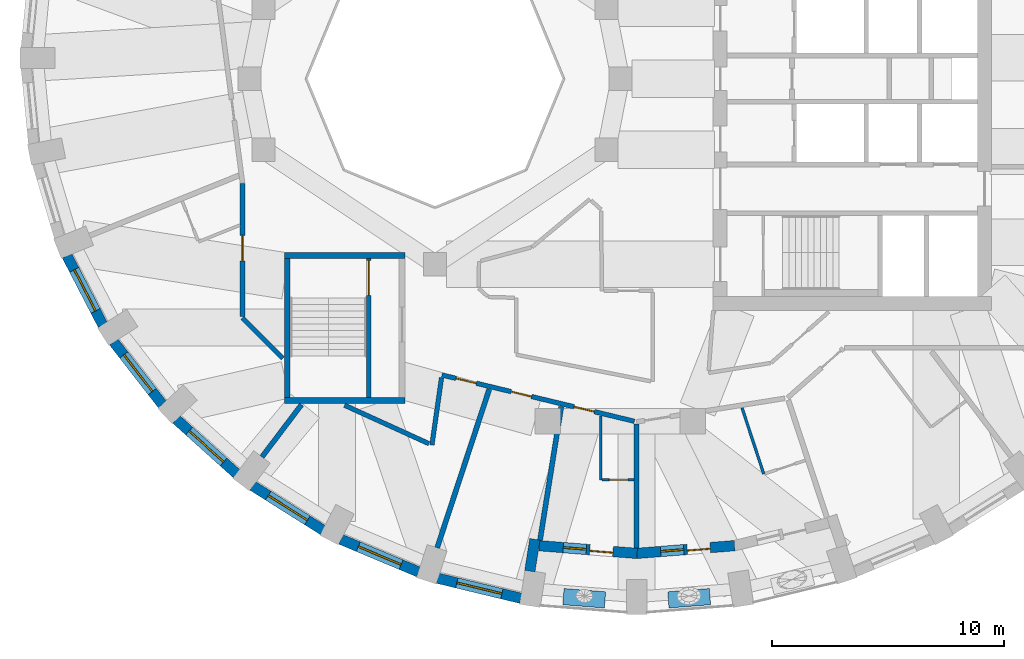
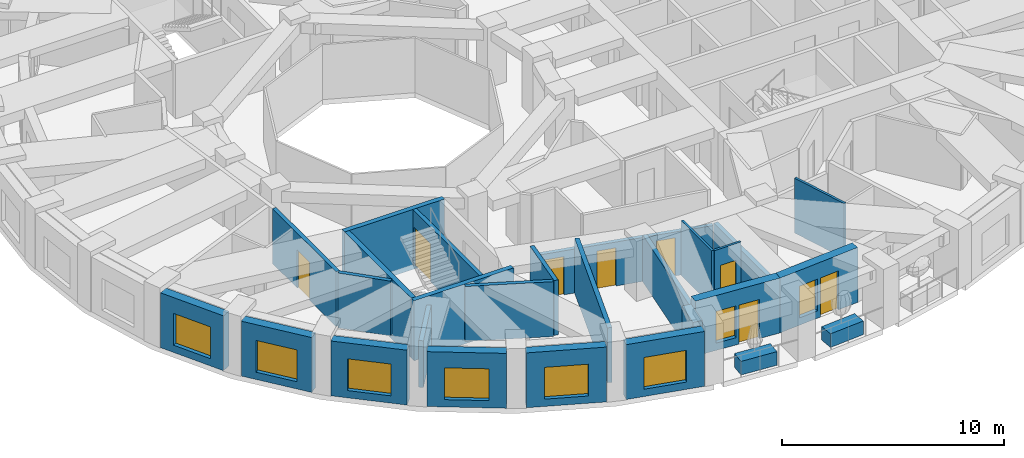
# One storey, part 3 of 12: 27 walls, 8 doors, 8 windows, 16 openings.
"""IFC4 building model written with IfcOpenShell, lengths in metres."""

from ifc_helpers import new_model, si_unit, direction, frame, frame_2d, origin, place, context, subcontext, project, spatial, rectangle, extrude, material, layer, layer_set, constituent, constituent_set, type_object, element, fill, save


model = new_model("IFC4")

# Units and contexts
model_context = context("Model", 3, precision=1e-05, world=origin(), true_north=direction((0.0, 1.0)))
body_context = subcontext(model_context, "Body", "Model", "MODEL_VIEW")
ifc_project = project(units=[si_unit("LENGTHUNIT", "METRE"), si_unit("AREAUNIT", "SQUARE_METRE"), si_unit("VOLUMEUNIT", "CUBIC_METRE"), si_unit("PLANEANGLEUNIT", "RADIAN"), si_unit("MASSUNIT", "GRAM", prefix="KILO")], contexts=[model_context])

# Site, building, storey
site_placement = place(None, origin())
site = spatial("IfcSite", under=ifc_project, at=site_placement, CompositionType="ELEMENT")
building_placement = place(site_placement, origin())
building = spatial("IfcBuilding", under=site, at=building_placement, Name="Taillehof Tower", CompositionType="ELEMENT")
storey_placement = place(building_placement, frame((0.0, 0.0, 202.39990234375)))
storey = spatial("IfcBuildingStorey", under=building, at=storey_placement, Name="L57", CompositionType="ELEMENT", Elevation=202.39990234375)

# Wall, opening, window
ifc_material_1 = material(Name="Brick masonry", Category="masonry")
ifc_layer_1 = layer(ifc_material_1, 0.449951171875)
ifc_layer_set_1 = layer_set([ifc_layer_1], Name="Brick infill wall 450")
wall_type_1 = type_object("IfcWallType", Name="Brick infill wall 450", PredefinedType="SOLIDWALL", material=ifc_layer_set_1)
wall_1_placement = place(storey_placement, frame((-23.878173828125, -7.631591796875, 0.0), z_axis=(0.0, 0.0, 1.0), x_axis=(0.460232593174, -0.887798378113, 0.0)))
wall_1 = element("IfcWall", 1, at=wall_1_placement, inside=storey, type_object=wall_type_1, Name="Brick wall L57 bay 21", PredefinedType="SOLIDWALL", context=body_context, shape_type="SweptSolid", body=[
    extrude(rectangle(XDim=3.37060546875, YDim=0.449951171875, at=frame_2d((1.685302734375, 0.0))), origin(), (0.0, 0.0, 1.0), 3.02001953125),
])
opening_1_placement = place(wall_1_placement, frame((0.685302734375, 0.0, 0.39990234375)))
opening_1 = element("IfcOpeningElement", 2, at=opening_1_placement, cuts=wall_1, Name="Opening W2", PredefinedType="OPENING", context=body_context, shape_type="SweptSolid", body=[
    extrude(rectangle(XDim=2.0, YDim=1.75, at=frame_2d((1.0, 0.875))), frame((0.0, 0.23486328125, 0.0), z_axis=(0.0, -1.0, 0.0), x_axis=(1.0, 0.0, 0.0)), (0.0, 0.0, 1.0), 0.469970703125),
])
ifc_material_2 = material(Name="Aluminium window frame with clear double glazing", Category="aluminium")
window_type_1 = type_object("IfcWindowType", Name="Deep-set window 2000x1750", PartitioningType="SINGLE_PANEL", PredefinedType="WINDOW", material=ifc_material_2)
window_1_placement = place(opening_1_placement, origin())
window_1 = element("IfcWindow", 3, at=window_1_placement, inside=storey, type_object=window_type_1, Name="W2", OverallHeight=1.75, OverallWidth=2.0, PartitioningType="SINGLE_PANEL", PredefinedType="WINDOW", context=body_context, shape_type="SweptSolid", body=[
    extrude(rectangle(XDim=2.0, YDim=1.75, at=frame_2d((1.0, 0.875))), frame((0.0, 0.034912109375, 0.0), z_axis=(0.0, -1.0, 0.0), x_axis=(1.0, 0.0, 0.0)), (0.0, 0.0, 1.0), 0.06005859375),
])
fill(opening_1, window_1)

wall_2_placement = place(storey_placement, frame((-21.86279296875, -11.348388671875, 0.0), z_axis=(0.0, 0.0, 1.0), x_axis=(0.614255239631, -0.789107407509, 0.0)))
wall_2 = element("IfcWall", 4, at=wall_2_placement, inside=storey, type_object=wall_type_1, Name="Brick wall L57 bay 22", PredefinedType="SOLIDWALL", context=body_context, shape_type="SweptSolid", body=[
    extrude(rectangle(XDim=3.4375, YDim=0.449951171875, at=frame_2d((1.71875, 0.0))), origin(), (0.0, 0.0, 1.0), 3.02001953125),
])
opening_2_placement = place(wall_2_placement, frame((0.71875, 0.0, 0.39990234375)))
opening_2 = element("IfcOpeningElement", 5, at=opening_2_placement, cuts=wall_2, Name="Opening W2", PredefinedType="OPENING", context=body_context, shape_type="SweptSolid", body=[
    extrude(rectangle(XDim=2.0, YDim=1.75, at=frame_2d((1.0, 0.875))), frame((0.0, 0.23486328125, 0.0), z_axis=(0.0, -1.0, 0.0), x_axis=(1.0, 0.0, 0.0)), (0.0, 0.0, 1.0), 0.469970703125),
])
window_2_placement = place(opening_2_placement, origin())
window_2 = element("IfcWindow", 6, at=window_2_placement, inside=storey, type_object=window_type_1, Name="W2", OverallHeight=1.75, OverallWidth=2.0, PartitioningType="SINGLE_PANEL", PredefinedType="WINDOW", context=body_context, shape_type="SweptSolid", body=[
    extrude(rectangle(XDim=2.0, YDim=1.75, at=frame_2d((1.0, 0.875))), frame((0.0, 0.034912109375, 0.0), z_axis=(0.0, -1.0, 0.0), x_axis=(1.0, 0.0, 0.0)), (0.0, 0.0, 1.0), 0.06005859375),
])
fill(opening_2, window_2)

wall_3_placement = place(storey_placement, frame((-19.1650390625, -14.6904296875, 0.0), z_axis=(0.0, 0.0, 1.0), x_axis=(0.743442727602, -0.668799604348, 0.0)))
wall_3 = element("IfcWall", 7, at=wall_3_placement, inside=storey, type_object=wall_type_1, Name="Brick wall L57 bay 23", PredefinedType="SOLIDWALL", context=body_context, shape_type="SweptSolid", body=[
    extrude(rectangle(XDim=3.5126953125, YDim=0.449951171875, at=frame_2d((1.75634765625, 0.0))), origin(), (0.0, 0.0, 1.0), 3.02001953125),
])
opening_3_placement = place(wall_3_placement, frame((0.75634765625, 0.0, 0.39990234375)))
opening_3 = element("IfcOpeningElement", 8, at=opening_3_placement, cuts=wall_3, Name="Opening W2", PredefinedType="OPENING", context=body_context, shape_type="SweptSolid", body=[
    extrude(rectangle(XDim=2.0, YDim=1.75, at=frame_2d((1.0, 0.875))), frame((0.0, 0.23486328125, 0.0), z_axis=(0.0, -1.0, 0.0), x_axis=(1.0, 0.0, 0.0)), (0.0, 0.0, 1.0), 0.469970703125),
])
window_3_placement = place(opening_3_placement, origin())
window_3 = element("IfcWindow", 9, at=window_3_placement, inside=storey, type_object=window_type_1, Name="W2", OverallHeight=1.75, OverallWidth=2.0, PartitioningType="SINGLE_PANEL", PredefinedType="WINDOW", context=body_context, shape_type="SweptSolid", body=[
    extrude(rectangle(XDim=2.0, YDim=1.75, at=frame_2d((1.0, 0.875))), frame((0.0, 0.034912109375, 0.0), z_axis=(0.0, -1.0, 0.0), x_axis=(1.0, 0.0, 0.0)), (0.0, 0.0, 1.0), 0.06005859375),
])
fill(opening_3, window_3)

wall_4_placement = place(storey_placement, frame((-15.8671875, -17.55859375, 0.0), z_axis=(0.0, 0.0, 1.0), x_axis=(0.84616917791, -0.532914366813, 0.0)))
wall_4 = element("IfcWall", 10, at=wall_4_placement, inside=storey, type_object=wall_type_1, Name="Brick wall L57 bay 24", PredefinedType="SOLIDWALL", context=body_context, shape_type="SweptSolid", body=[
    extrude(rectangle(XDim=3.586669921875, YDim=0.449951171875, at=frame_2d((1.79345703125, 0.0))), origin(), (0.0, 0.0, 1.0), 3.02001953125),
])
opening_4_placement = place(wall_4_placement, frame((0.79345703125, 0.0, 0.39990234375)))
opening_4 = element("IfcOpeningElement", 11, at=opening_4_placement, cuts=wall_4, Name="Opening W2", PredefinedType="OPENING", context=body_context, shape_type="SweptSolid", body=[
    extrude(rectangle(XDim=2.0, YDim=1.75, at=frame_2d((1.0, 0.875))), frame((0.0, 0.23486328125, 0.0), z_axis=(0.0, -1.0, 0.0), x_axis=(1.0, 0.0, 0.0)), (0.0, 0.0, 1.0), 0.469970703125),
])
window_4_placement = place(opening_4_placement, origin())
window_4 = element("IfcWindow", 12, at=window_4_placement, inside=storey, type_object=window_type_1, Name="W2", OverallHeight=1.75, OverallWidth=2.0, PartitioningType="SINGLE_PANEL", PredefinedType="WINDOW", context=body_context, shape_type="SweptSolid", body=[
    extrude(rectangle(XDim=2.0, YDim=1.75, at=frame_2d((1.0, 0.875))), frame((0.0, 0.034912109375, 0.0), z_axis=(0.0, -1.0, 0.0), x_axis=(1.0, 0.0, 0.0)), (0.0, 0.0, 1.0), 0.06005859375),
])
fill(opening_4, window_4)

wall_5_placement = place(storey_placement, frame((-12.0693359375, -19.866943359375, 0.0), z_axis=(0.0, 0.0, 1.0), x_axis=(0.922168222612, -0.386789050006, 0.0)))
wall_5 = element("IfcWall", 13, at=wall_5_placement, inside=storey, type_object=wall_type_1, Name="Brick wall L57 bay 25", PredefinedType="SOLIDWALL", context=body_context, shape_type="SweptSolid", body=[
    extrude(rectangle(XDim=3.65087890625, YDim=0.449951171875, at=frame_2d((1.825439453125, 0.0))), origin(), (0.0, 0.0, 1.0), 3.02001953125),
])
opening_5_placement = place(wall_5_placement, frame((0.825439453125, 0.0, 0.39990234375)))
opening_5 = element("IfcOpeningElement", 14, at=opening_5_placement, cuts=wall_5, Name="Opening W2", PredefinedType="OPENING", context=body_context, shape_type="SweptSolid", body=[
    extrude(rectangle(XDim=2.0, YDim=1.75, at=frame_2d((1.0, 0.875))), frame((0.0, 0.23486328125, 0.0), z_axis=(0.0, -1.0, 0.0), x_axis=(1.0, 0.0, 0.0)), (0.0, 0.0, 1.0), 0.469970703125),
])
window_5_placement = place(opening_5_placement, origin())
window_5 = element("IfcWindow", 15, at=window_5_placement, inside=storey, type_object=window_type_1, Name="W2", OverallHeight=1.75, OverallWidth=2.0, PartitioningType="SINGLE_PANEL", PredefinedType="WINDOW", context=body_context, shape_type="SweptSolid", body=[
    extrude(rectangle(XDim=2.0, YDim=1.75, at=frame_2d((1.0, 0.875))), frame((0.0, 0.034912109375, 0.0), z_axis=(0.0, -1.0, 0.0), x_axis=(1.0, 0.0, 0.0)), (0.0, 0.0, 1.0), 0.06005859375),
])
fill(opening_5, window_5)

wall_6_placement = place(storey_placement, frame((-7.88525390625, -21.547119140625, 0.0), z_axis=(0.0, 0.0, 1.0), x_axis=(0.9721584944, -0.234324266275, 0.0)))
wall_6 = element("IfcWall", 16, at=wall_6_placement, inside=storey, type_object=wall_type_1, Name="Brick wall L57 bay 26", PredefinedType="SOLIDWALL", context=body_context, shape_type="SweptSolid", body=[
    extrude(rectangle(XDim=3.69775390625, YDim=0.449951171875, at=frame_2d((1.848876953125, 0.0))), origin(), (0.0, 0.0, 1.0), 3.02001953125),
])
opening_6_placement = place(wall_6_placement, frame((0.848876953125, 0.0, 0.39990234375)))
opening_6 = element("IfcOpeningElement", 17, at=opening_6_placement, cuts=wall_6, Name="Opening W2", PredefinedType="OPENING", context=body_context, shape_type="SweptSolid", body=[
    extrude(rectangle(XDim=2.0, YDim=1.75, at=frame_2d((1.0, 0.875))), frame((0.0, 0.23486328125, 0.0), z_axis=(0.0, -1.0, 0.0), x_axis=(1.0, 0.0, 0.0)), (0.0, 0.0, 1.0), 0.469970703125),
])
window_6_placement = place(opening_6_placement, origin())
window_6 = element("IfcWindow", 18, at=window_6_placement, inside=storey, type_object=window_type_1, Name="W2", OverallHeight=1.75, OverallWidth=2.0, PartitioningType="SINGLE_PANEL", PredefinedType="WINDOW", context=body_context, shape_type="SweptSolid", body=[
    extrude(rectangle(XDim=2.0, YDim=1.75, at=frame_2d((1.0, 0.875))), frame((0.0, 0.034912109375, 0.0), z_axis=(0.0, -1.0, 0.0), x_axis=(1.0, 0.0, 0.0)), (0.0, 0.0, 1.0), 0.06005859375),
])
fill(opening_6, window_6)

# Wall
wall_7_placement = place(storey_placement, frame((-3.90869140625, -21.238525390625, 0.0), z_axis=(0.0, 0.0, 1.0), x_axis=(0.157017718735, 0.987595785736, 0.0)))
element("IfcWall", 19, at=wall_7_placement, inside=storey, type_object=wall_type_1, Name="Brick reveal L57 pocket 8", PredefinedType="SOLIDWALL", context=body_context, shape_type="SweptSolid", body=[
    extrude(rectangle(XDim=1.39013671875, YDim=0.449951171875, at=frame_2d((0.695068359375, 0.0))), origin(), (0.0, 0.0, 1.0), 2.570068359375),
])

# Wall, openings, door, window
wall_8_placement = place(storey_placement, frame((-3.506591796875, -20.142333984375, 0.0), z_axis=(0.0, 0.0, 1.0), x_axis=(0.996902786213, -0.078643720926, 0.0)))
wall_8 = element("IfcWall", 20, at=wall_8_placement, inside=storey, type_object=wall_type_1, Name="Brick wall L57 pocket bay 27", PredefinedType="SOLIDWALL", context=body_context, shape_type="SweptSolid", body=[
    extrude(rectangle(XDim=4.237548828125, YDim=0.449951171875, at=frame_2d((2.11865234375, 0.0))), origin(), (0.0, 0.0, 1.0), 3.02001953125),
])
opening_7_placement = place(wall_8_placement, frame((1.043701171875, 0.0, 0.39990234375)))
opening_7 = element("IfcOpeningElement", 21, at=opening_7_placement, cuts=wall_8, Name="Opening W5", PredefinedType="OPENING", context=body_context, shape_type="SweptSolid", body=[
    extrude(rectangle(XDim=1.0, YDim=1.75, at=frame_2d((0.5, 0.875))), frame((0.0, 0.23486328125, 0.0), z_axis=(0.0, -1.0, 0.0), x_axis=(1.0, 0.0, 0.0)), (0.0, 0.0, 1.0), 0.469970703125),
])
opening_8_placement = place(wall_8_placement, frame((2.193603515625, 0.0, 0.0)))
opening_8 = element("IfcOpeningElement", 22, at=opening_8_placement, cuts=wall_8, Name="Opening D5794", PredefinedType="OPENING", context=body_context, shape_type="SweptSolid", body=[
    extrude(rectangle(XDim=1.0, YDim=2.14990234375, at=frame_2d((0.5, 1.074951171875))), frame((0.0, 0.23486328125, 0.0), z_axis=(0.0, -1.0, 0.0), x_axis=(1.0, 0.0, 0.0)), (0.0, 0.0, 1.0), 0.469970703125),
])
ifc_material_3 = material(Name="Aluminium door frame with clear double glazing", Category="aluminium")
door_type_1 = type_object("IfcDoorType", Name="Balcony door 1000x2150", OperationType="SINGLE_SWING_RIGHT", PredefinedType="DOOR", material=ifc_material_3)
door_1_placement = place(opening_8_placement, frame((1.0, 0.0, 0.0), z_axis=(0.0, 0.0, 1.0), x_axis=(-1.0, 0.0, 0.0)))
door_1 = element("IfcDoor", 23, at=door_1_placement, inside=storey, type_object=door_type_1, Name="Balcony door L57 bay 27", OperationType="SINGLE_SWING_RIGHT", OverallHeight=2.14990234375, OverallWidth=1.0, PredefinedType="DOOR", context=body_context, shape_type="SweptSolid", body=[
    extrude(rectangle(XDim=1.0, YDim=2.14990234375, at=frame_2d((0.5, 1.074951171875))), frame((0.0, 0.0751953125, 0.0), z_axis=(0.0, -1.0, 0.0), x_axis=(1.0, 0.0, 0.0)), (0.0, 0.0, 1.0), 0.050048828125),
])
fill(opening_8, door_1)
ifc_material_4 = material(Name="Aluminium window frame with clear double glazing", Category="aluminium")
window_type_2 = type_object("IfcWindowType", Name="Fixed window 1000x1750", PartitioningType="SINGLE_PANEL", PredefinedType="WINDOW", material=ifc_material_4)
window_7_placement = place(opening_7_placement, origin())
window_7 = element("IfcWindow", 24, at=window_7_placement, inside=storey, type_object=window_type_2, Name="W5", OverallHeight=1.75, OverallWidth=1.0, PartitioningType="SINGLE_PANEL", PredefinedType="WINDOW", context=body_context, shape_type="SweptSolid", body=[
    extrude(rectangle(XDim=1.0, YDim=1.75, at=frame_2d((0.5, 0.875))), frame((0.0, 0.034912109375, 0.0), z_axis=(0.0, -1.0, 0.0), x_axis=(1.0, 0.0, 0.0)), (0.0, 0.0, 1.0), 0.06005859375),
])
fill(opening_7, window_7)

wall_9_placement = place(storey_placement, frame((0.682373046875, -20.4755859375, 0.0), z_axis=(0.0, 0.0, 1.0), x_axis=(0.996901346333, 0.078661970983, 0.0)))
wall_9 = element("IfcWall", 25, at=wall_9_placement, inside=storey, type_object=wall_type_1, Name="Brick wall L57 pocket bay 28", PredefinedType="SOLIDWALL", context=body_context, shape_type="SweptSolid", body=[
    extrude(rectangle(XDim=4.255126953125, YDim=0.449951171875, at=frame_2d((2.12744140625, 0.0))), origin(), (0.0, 0.0, 1.0), 3.02001953125),
])
opening_9_placement = place(wall_9_placement, frame((1.052490234375, 0.0, 0.39990234375)))
opening_9 = element("IfcOpeningElement", 26, at=opening_9_placement, cuts=wall_9, Name="Opening W5", PredefinedType="OPENING", context=body_context, shape_type="SweptSolid", body=[
    extrude(rectangle(XDim=1.0, YDim=1.75, at=frame_2d((0.5, 0.875))), frame((0.0, 0.23486328125, 0.0), z_axis=(0.0, -1.0, 0.0), x_axis=(1.0, 0.0, 0.0)), (0.0, 0.0, 1.0), 0.469970703125),
])
opening_10_placement = place(wall_9_placement, frame((2.20263671875, 0.0, 0.0)))
opening_10 = element("IfcOpeningElement", 27, at=opening_10_placement, cuts=wall_9, Name="Opening D5795", PredefinedType="OPENING", context=body_context, shape_type="SweptSolid", body=[
    extrude(rectangle(XDim=1.0, YDim=2.14990234375, at=frame_2d((0.5, 1.074951171875))), frame((0.0, 0.23486328125, 0.0), z_axis=(0.0, -1.0, 0.0), x_axis=(1.0, 0.0, 0.0)), (0.0, 0.0, 1.0), 0.469970703125),
])
door_2_placement = place(opening_10_placement, frame((1.0, 0.0, 0.0), z_axis=(0.0, 0.0, 1.0), x_axis=(-1.0, 0.0, 0.0)))
door_2 = element("IfcDoor", 28, at=door_2_placement, inside=storey, type_object=door_type_1, Name="Balcony door L57 bay 28", OperationType="SINGLE_SWING_LEFT", OverallHeight=2.14990234375, OverallWidth=1.0, PredefinedType="DOOR", context=body_context, shape_type="SweptSolid", body=[
    extrude(rectangle(XDim=1.0, YDim=2.14990234375, at=frame_2d((0.5, 1.074951171875))), frame((0.0, 0.0751953125, 0.0), z_axis=(0.0, -1.0, 0.0), x_axis=(1.0, 0.0, 0.0)), (0.0, 0.0, 1.0), 0.050048828125),
])
fill(opening_10, door_2)
window_8_placement = place(opening_9_placement, origin())
window_8 = element("IfcWindow", 29, at=window_8_placement, inside=storey, type_object=window_type_2, Name="W5", OverallHeight=1.75, OverallWidth=1.0, PartitioningType="SINGLE_PANEL", PredefinedType="WINDOW", context=body_context, shape_type="SweptSolid", body=[
    extrude(rectangle(XDim=1.0, YDim=1.75, at=frame_2d((0.5, 0.875))), frame((0.0, 0.034912109375, 0.0), z_axis=(0.0, -1.0, 0.0), x_axis=(1.0, 0.0, 0.0)), (0.0, 0.0, 1.0), 0.06005859375),
])
fill(opening_9, window_8)

# Wall, openings, doors
ifc_material_5 = material(Name="Gypsum board on steel studs, two layers each side", Category="steel")
ifc_layer_2 = layer(ifc_material_5, 0.199951171875)
ifc_layer_set_2 = layer_set([ifc_layer_2], Name="Compartment wall corridor 200")
wall_type_2 = type_object("IfcWallType", Name="Compartment wall corridor 200", PredefinedType="PARTITIONING", material=ifc_layer_set_2)
wall_10_placement = place(storey_placement, frame((0.602294921875, -14.77685546875, 0.0), z_axis=(0.0, 0.0, 1.0), x_axis=(-0.972266752798, 0.23387467029, 0.0)))
wall_10 = element("IfcWall", 30, at=wall_10_placement, inside=storey, type_object=wall_type_2, Name="Compartment wall", PredefinedType="PARTITIONING", context=body_context, shape_type="SweptSolid", body=[
    extrude(rectangle(XDim=8.5390625, YDim=0.199951171875, at=frame_2d((4.26953125, 0.0))), origin(), (0.0, 0.0, 1.0), 2.420166015625),
])
opening_11_placement = place(wall_10_placement, frame((7.015869140625, 0.0, 0.0)))
opening_11 = element("IfcOpeningElement", 31, at=opening_11_placement, cuts=wall_10, Name="Opening D5755", PredefinedType="OPENING", context=body_context, shape_type="SweptSolid", body=[
    extrude(rectangle(XDim=0.89990234375, YDim=2.10009765625, at=frame_2d((0.449951171875, 1.050048828125))), frame((0.0, 0.10986328125, 0.0), z_axis=(0.0, -1.0, 0.0), x_axis=(1.0, 0.0, 0.0)), (0.0, 0.0, 1.0), 0.219970703125),
])
opening_12_placement = place(wall_10_placement, frame((4.5654296875, 0.0, 0.0)))
opening_12 = element("IfcOpeningElement", 32, at=opening_12_placement, cuts=wall_10, Name="Opening D5756", PredefinedType="OPENING", context=body_context, shape_type="SweptSolid", body=[
    extrude(rectangle(XDim=0.89990234375, YDim=2.10009765625, at=frame_2d((0.449951171875, 1.050048828125))), frame((0.0, 0.10986328125, 0.0), z_axis=(0.0, -1.0, 0.0), x_axis=(1.0, 0.0, 0.0)), (0.0, 0.0, 1.0), 0.219970703125),
])
opening_13_placement = place(wall_10_placement, frame((1.779541015625, 0.0, 0.0)))
opening_13 = element("IfcOpeningElement", 33, at=opening_13_placement, cuts=wall_10, Name="Opening D5757", PredefinedType="OPENING", context=body_context, shape_type="SweptSolid", body=[
    extrude(rectangle(XDim=0.89990234375, YDim=2.10009765625, at=frame_2d((0.449951171875, 1.050048828125))), frame((0.0, 0.10986328125, 0.0), z_axis=(0.0, -1.0, 0.0), x_axis=(1.0, 0.0, 0.0)), (0.0, 0.0, 1.0), 0.219970703125),
])
ifc_material_6 = material(Name="Timber door leaf in steel frame", Category="steel")
door_type_2 = type_object("IfcDoorType", Name="Guest room door EI 30 900 x 2100", OperationType="SINGLE_SWING_LEFT", PredefinedType="DOOR", material=ifc_material_6)
door_3_placement = place(opening_13_placement, origin())
door_3 = element("IfcDoor", 34, at=door_3_placement, inside=storey, type_object=door_type_2, Name="D5757", OperationType="SINGLE_SWING_LEFT", OverallHeight=2.10009765625, OverallWidth=0.89990234375, PredefinedType="DOOR", context=body_context, shape_type="SweptSolid", body=[
    extrude(rectangle(XDim=0.89990234375, YDim=2.10009765625, at=frame_2d((0.449951171875, 1.050048828125))), frame((0.0, 0.02490234375, 0.0), z_axis=(0.0, -1.0, 0.0), x_axis=(1.0, 0.0, 0.0)), (0.0, 0.0, 1.0), 0.050048828125),
])
fill(opening_13, door_3)
ifc_material_7 = material(Name="Timber door leaf in steel frame", Category="steel")
door_type_3 = type_object("IfcDoorType", Name="Service room door EI 30 900 x 2100", OperationType="SINGLE_SWING_LEFT", PredefinedType="DOOR", material=ifc_material_7)
door_4_placement = place(opening_11_placement, origin())
door_4 = element("IfcDoor", 35, at=door_4_placement, inside=storey, type_object=door_type_3, Name="D5755", OperationType="SINGLE_SWING_RIGHT", OverallHeight=2.10009765625, OverallWidth=0.89990234375, PredefinedType="DOOR", context=body_context, shape_type="SweptSolid", body=[
    extrude(rectangle(XDim=0.89990234375, YDim=2.10009765625, at=frame_2d((0.449951171875, 1.050048828125))), frame((0.0, 0.02490234375, 0.0), z_axis=(0.0, -1.0, 0.0), x_axis=(1.0, 0.0, 0.0)), (0.0, 0.0, 1.0), 0.050048828125),
])
fill(opening_11, door_4)
door_5_placement = place(opening_12_placement, origin())
door_5 = element("IfcDoor", 36, at=door_5_placement, inside=storey, type_object=door_type_3, Name="D5756", OperationType="SINGLE_SWING_RIGHT", OverallHeight=2.10009765625, OverallWidth=0.89990234375, PredefinedType="DOOR", context=body_context, shape_type="SweptSolid", body=[
    extrude(rectangle(XDim=0.89990234375, YDim=2.10009765625, at=frame_2d((0.449951171875, 1.050048828125))), frame((0.0, 0.02490234375, 0.0), z_axis=(0.0, -1.0, 0.0), x_axis=(1.0, 0.0, 0.0)), (0.0, 0.0, 1.0), 0.050048828125),
])
fill(opening_12, door_5)

# Walls
wall_11_placement = place(storey_placement, frame((-7.717529296875, -12.8984375, 0.0), z_axis=(0.0, 0.0, 1.0), x_axis=(-0.141269756138, -0.989971138974, 0.0)))
element("IfcWall", 37, at=wall_11_placement, inside=storey, type_object=wall_type_2, Name="Compartment wall", PredefinedType="PARTITIONING", context=body_context, shape_type="SweptSolid", body=[
    extrude(rectangle(XDim=2.930908203125, YDim=0.199951171875, at=frame_2d((1.46533203125, 0.0))), origin(), (0.0, 0.0, 1.0), 3.02001953125),
])
wall_12_placement = place(storey_placement, frame((-8.259765625, -15.741943359375, 0.0), z_axis=(0.0, 0.0, 1.0), x_axis=(-0.910075871217, 0.414441683025, 0.0)))
element("IfcWall", 38, at=wall_12_placement, inside=storey, type_object=wall_type_2, Name="Compartment wall", PredefinedType="PARTITIONING", context=body_context, shape_type="SweptSolid", body=[
    extrude(rectangle(XDim=4.002197265625, YDim=0.199951171875, at=frame_2d((2.0009765625, 0.0))), origin(), (0.0, 0.0, 1.0), 3.02001953125),
])
wall_13_placement = place(storey_placement, frame((-14.561767578125, -12.064453125, 0.0), z_axis=(0.0, 0.0, 1.0), x_axis=(-0.704826289083, 0.709379942074, 0.0)))
element("IfcWall", 39, at=wall_13_placement, inside=storey, type_object=wall_type_2, Name="Compartment wall", PredefinedType="PARTITIONING", context=body_context, shape_type="SweptSolid", body=[
    extrude(rectangle(XDim=2.46630859375, YDim=0.199951171875, at=frame_2d((1.233154296875, 0.0))), origin(), (0.0, 0.0, 1.0), 3.02001953125),
])

# Wall, opening, door
wall_14_placement = place(storey_placement, frame((-16.300048828125, -10.2548828125, 0.0), z_axis=(0.0, 0.0, 1.0), x_axis=(0.0, 1.0, 0.0)))
wall_14 = element("IfcWall", 40, at=wall_14_placement, inside=storey, type_object=wall_type_2, Name="Compartment wall", PredefinedType="PARTITIONING", context=body_context, shape_type="SweptSolid", body=[
    extrude(rectangle(XDim=5.734375, YDim=0.199951171875, at=frame_2d((2.8671875, 0.0))), origin(), (0.0, 0.0, 1.0), 3.02001953125),
])
opening_14_placement = place(wall_14_placement, frame((2.401123046875, 0.0, 0.0)))
opening_14 = element("IfcOpeningElement", 41, at=opening_14_placement, cuts=wall_14, Name="Opening D5753", PredefinedType="OPENING", context=body_context, shape_type="SweptSolid", body=[
    extrude(rectangle(XDim=1.10009765625, YDim=2.10009765625, at=frame_2d((0.550048828125, 1.050048828125))), frame((0.0, 0.10986328125, 0.0), z_axis=(0.0, -1.0, 0.0), x_axis=(1.0, 0.0, 0.0)), (0.0, 0.0, 1.0), 0.219970703125),
])
ifc_material_8 = material(Name="Timber door leaf in steel frame", Category="steel")
door_type_4 = type_object("IfcDoorType", Name="Suite entrance door EI 30 1100 x 2100", OperationType="SINGLE_SWING_LEFT", PredefinedType="DOOR", material=ifc_material_8)
door_6_placement = place(opening_14_placement, origin())
door_6 = element("IfcDoor", 42, at=door_6_placement, inside=storey, type_object=door_type_4, Name="D5753", OperationType="SINGLE_SWING_RIGHT", OverallHeight=2.10009765625, OverallWidth=1.10009765625, PredefinedType="DOOR", context=body_context, shape_type="SweptSolid", body=[
    extrude(rectangle(XDim=1.10009765625, YDim=2.10009765625, at=frame_2d((0.550048828125, 1.050048828125))), frame((0.0, 0.02490234375, 0.0), z_axis=(0.0, -1.0, 0.0), x_axis=(1.0, 0.0, 0.0)), (0.0, 0.0, 1.0), 0.050048828125),
])
fill(opening_14, door_6)

# Walls
ifc_material_9 = material(Name="Gypsum board on double steel studs with mineral wool", Category="steel")
ifc_layer_3 = layer(ifc_material_9, 0.219970703125)
ifc_layer_set_3 = layer_set([ifc_layer_3], Name="Compartment wall guest room 220")
wall_type_3 = type_object("IfcWallType", Name="Compartment wall guest room 220", PredefinedType="PARTITIONING", material=ifc_layer_set_3)
wall_15_placement = place(storey_placement, frame((-15.46337890625, -16.3125, 0.0), z_axis=(0.0, 0.0, 1.0), x_axis=(0.603613294085, 0.797277236101, 0.0)))
element("IfcWall", 43, at=wall_15_placement, inside=storey, type_object=wall_type_3, Name="Compartment wall", PredefinedType="PARTITIONING", context=body_context, shape_type="SweptSolid", body=[
    extrude(rectangle(XDim=2.82763671875, YDim=0.219970703125, at=frame_2d((1.413818359375, 0.0))), origin(), (0.0, 0.0, 1.0), 2.570068359375),
])
wall_16_placement = place(storey_placement, frame((-7.9072265625, -20.2353515625, 0.0), z_axis=(0.0, 0.0, 1.0), x_axis=(0.312013837279, 0.950077557543, 0.0)))
element("IfcWall", 44, at=wall_16_placement, inside=storey, type_object=wall_type_3, Name="Compartment wall", PredefinedType="PARTITIONING", context=body_context, shape_type="SweptSolid", body=[
    extrude(rectangle(XDim=7.200927734375, YDim=0.219970703125, at=frame_2d((3.6005859375, 0.0))), origin(), (0.0, 0.0, 1.0), 3.02001953125),
])
wall_17_placement = place(storey_placement, frame((-3.470947265625, -19.91943359375, 0.0), z_axis=(0.0, 0.0, 1.0), x_axis=(0.157066025452, 0.987588104246, 0.0)))
element("IfcWall", 45, at=wall_17_placement, inside=storey, type_object=wall_type_3, Name="Compartment wall", PredefinedType="PARTITIONING", context=body_context, shape_type="SweptSolid", body=[
    extrude(rectangle(XDim=5.8505859375, YDim=0.219970703125, at=frame_2d((2.92529296875, 0.0))), origin(), (0.0, 0.0, 1.0), 2.570068359375),
])
wall_18_placement = place(storey_placement, frame((0.699951171875, -20.24853515625, 0.0), z_axis=(0.0, 0.0, 1.0), x_axis=(0.0, 1.0, 0.0)))
element("IfcWall", 46, at=wall_18_placement, inside=storey, type_object=wall_type_3, Name="Compartment wall", PredefinedType="PARTITIONING", context=body_context, shape_type="SweptSolid", body=[
    extrude(rectangle(XDim=5.348388671875, YDim=0.219970703125, at=frame_2d((2.67431640625, 0.0))), origin(), (0.0, 0.0, 1.0), 2.570068359375),
])
ifc_material_10 = material(Name="Gypsum board on steel studs, moisture resistant", Category="steel")
ifc_layer_4 = layer(ifc_material_10, 0.1201171875)
ifc_layer_set_4 = layer_set([ifc_layer_4], Name="En-suite wall 120")
wall_type_4 = type_object("IfcWallType", Name="En-suite wall 120", PredefinedType="PARTITIONING", material=ifc_layer_set_4)
wall_19_placement = place(storey_placement, frame((-0.85009765625, -14.550048828125, 0.0), z_axis=(0.0, 0.0, 1.0), x_axis=(0.0, -1.0, 0.0)))
element("IfcWall", 47, at=wall_19_placement, inside=storey, type_object=wall_type_4, Name="En-suite wall", PredefinedType="PARTITIONING", context=body_context, shape_type="SweptSolid", body=[
    extrude(rectangle(XDim=2.75, YDim=0.1201171875, at=frame_2d((1.375, 0.0))), origin(), (0.0, 0.0, 1.0), 3.02001953125),
])
wall_20_placement = place(storey_placement, frame((5.2451171875, -14.19970703125, 0.0), z_axis=(0.0, 0.0, 1.0), x_axis=(0.31202743032, -0.950073093361, 0.0)))
element("IfcWall", 48, at=wall_20_placement, inside=storey, type_object=wall_type_4, Name="En-suite wall", PredefinedType="PARTITIONING", context=body_context, shape_type="SweptSolid", body=[
    extrude(rectangle(XDim=3.00146484375, YDim=0.1201171875, at=frame_2d((1.500732421875, 0.0))), origin(), (0.0, 0.0, 1.0), 3.02001953125),
])

# Wall, opening, door
wall_21_placement = place(storey_placement, frame((-0.7900390625, -17.300048828125, 0.0), z_axis=(0.0, 0.0, 1.0), x_axis=(1.0, 0.0, 0.0)))
wall_21 = element("IfcWall", 49, at=wall_21_placement, inside=storey, type_object=wall_type_4, Name="En-suite wall", PredefinedType="PARTITIONING", context=body_context, shape_type="SweptSolid", body=[
    extrude(rectangle(XDim=1.3798828125, YDim=0.1201171875, at=frame_2d((0.68994140625, 0.0))), origin(), (0.0, 0.0, 1.0), 3.02001953125),
])
opening_15_placement = place(wall_21_placement, frame((0.31494140625, 0.0, 0.0)))
opening_15 = element("IfcOpeningElement", 50, at=opening_15_placement, cuts=wall_21, Name="Opening D5758", PredefinedType="OPENING", context=body_context, shape_type="SweptSolid", body=[
    extrude(rectangle(XDim=0.800048828125, YDim=2.10009765625, at=frame_2d((0.39990234375, 1.050048828125))), frame((0.0, 0.070068359375, 0.0), z_axis=(0.0, -1.0, 0.0), x_axis=(1.0, 0.0, 0.0)), (0.0, 0.0, 1.0), 0.14013671875),
])
ifc_material_11 = material(Name="Timber door leaf in steel frame", Category="steel")
door_type_5 = type_object("IfcDoorType", Name="En-suite door 800 x 2100", OperationType="SINGLE_SWING_LEFT", PredefinedType="DOOR", material=ifc_material_11)
door_7_placement = place(opening_15_placement, origin())
door_7 = element("IfcDoor", 51, at=door_7_placement, inside=storey, type_object=door_type_5, Name="D5758", OperationType="SINGLE_SWING_LEFT", OverallHeight=2.10009765625, OverallWidth=0.800048828125, PredefinedType="DOOR", context=body_context, shape_type="SweptSolid", body=[
    extrude(rectangle(XDim=0.800048828125, YDim=2.10009765625, at=frame_2d((0.39990234375, 1.050048828125))), frame((0.0, 0.02490234375, 0.0), z_axis=(0.0, -1.0, 0.0), x_axis=(1.0, 0.0, 0.0)), (0.0, 0.0, 1.0), 0.050048828125),
])
fill(opening_15, door_7)

# Walls
ifc_material_12 = material(Name="Concrete C30/37 precast", Category="concrete")
ifc_constituent_1 = constituent(ifc_material_12, Name="Structure", Category="concrete")
ifc_material_13 = material(Name="Insulated lining")
ifc_constituent_2 = constituent(ifc_material_13, Name="Lining")
ifc_constituent_set = constituent_set(constituents=[ifc_constituent_1, ifc_constituent_2], Name="Planter trough 700x750")
wall_type_5 = type_object("IfcWallType", Name="Planter trough 700x750", PredefinedType="USERDEFINED", material=ifc_constituent_set)
for number, where, z_axis, x_axis, name in (
    (52, (-2.46044921875, -22.339599609375, 0.0), (0.0, 0.0, 1.0), (0.996911576184, -0.078532218042, 0.0), "Planter L57 bay 27"),
    (53, (2.066162109375, -22.48095703125, 0.0), (0.0, 0.0, 1.0), (0.996911576184, 0.078532218042, 0.0), "Planter L57 bay 28"),
):
    element("IfcWall", number, at=place(storey_placement, frame(where, z_axis=z_axis, x_axis=x_axis)), inside=storey, type_object=wall_type_5, Name=name, ObjectType="PLANTER", PredefinedType="USERDEFINED", context=body_context, shape_type="SweptSolid", body=[
        extrude(rectangle(XDim=1.800048828125, YDim=0.699951171875, at=frame_2d((0.89990234375, 0.0))), origin(), (0.0, 0.0, 1.0), 0.75),
    ])

# Wall, opening, door
ifc_material_14 = material(Name="Concrete C50/60", Category="concrete")
ifc_layer_5 = layer(ifc_material_14, 0.199951171875)
ifc_layer_set_5 = layer_set([ifc_layer_5], Name="Shaft wall C50/60 200")
wall_type_6 = type_object("IfcWallType", Name="Shaft wall C50/60 200", PredefinedType="SHEAR", material=ifc_layer_set_5)
wall_22_placement = place(storey_placement, frame((-10.85009765625, -13.75, 0.0), z_axis=(0.0, 0.0, 1.0), x_axis=(0.0, 1.0, 0.0)))
wall_22 = element("IfcWall", 54, at=wall_22_placement, inside=storey, type_object=wall_type_6, Name="Shaft wall SW", PredefinedType="SHEAR", context=body_context, shape_type="SweptSolid", body=[
    extrude(rectangle(XDim=6.0, YDim=0.199951171875, at=frame_2d((3.0, 0.0))), origin(), (0.0, 0.0, 1.0), 3.02001953125),
])
opening_16_placement = place(wall_22_placement, frame((4.39990234375, 0.0, 0.0)))
opening_16 = element("IfcOpeningElement", 55, at=opening_16_placement, cuts=wall_22, Name="Opening D5713", PredefinedType="OPENING", context=body_context, shape_type="SweptSolid", body=[
    extrude(rectangle(XDim=1.5, YDim=2.10009765625, at=frame_2d((0.75, 1.050048828125))), frame((0.0, 0.10986328125, 0.0), z_axis=(0.0, -1.0, 0.0), x_axis=(1.0, 0.0, 0.0)), (0.0, 0.0, 1.0), 0.219970703125),
])
ifc_material_15 = material(Name="Steel-faced fire door", Category="steel")
door_type_6 = type_object("IfcDoorType", Name="Stair door 1500x2100", OperationType="DOUBLE_DOOR_SINGLE_SWING", PredefinedType="DOOR", material=ifc_material_15)
door_8_placement = place(opening_16_placement, origin())
door_8 = element("IfcDoor", 56, at=door_8_placement, inside=storey, type_object=door_type_6, Name="Stair lobby door S4", OperationType="DOUBLE_DOOR_SINGLE_SWING", OverallHeight=2.10009765625, OverallWidth=1.5, PredefinedType="DOOR", context=body_context, shape_type="SweptSolid", body=[
    extrude(rectangle(XDim=1.5, YDim=2.10009765625, at=frame_2d((0.75, 1.050048828125))), frame((0.0, 0.02490234375, 0.0), z_axis=(0.0, -1.0, 0.0), x_axis=(1.0, 0.0, 0.0)), (0.0, 0.0, 1.0), 0.050048828125),
])
fill(opening_16, door_8)

# Walls
ifc_material_16 = material(Name="Concrete C50/60", Category="concrete")
ifc_layer_6 = layer(ifc_material_16, 0.25)
ifc_layer_set_6 = layer_set([ifc_layer_6], Name="Stair wall C50/60 250")
wall_type_7 = type_object("IfcWallType", Name="Stair wall C50/60 250", PredefinedType="SHEAR", material=ifc_layer_set_6)
wall_23_placement = place(storey_placement, frame((-14.375, -13.75, -0.27978515625), z_axis=(0.0, 0.0, 1.0), x_axis=(0.0, 1.0, 0.0)))
element("IfcWall", 57, at=wall_23_placement, inside=storey, type_object=wall_type_7, Name="Stair wall SC", PredefinedType="SHEAR", context=body_context, shape_type="SweptSolid", body=[
    extrude(rectangle(XDim=6.0, YDim=0.25, at=frame_2d((3.0, 0.0))), origin(), (0.0, 0.0, 1.0), 3.2998046875),
])
for number, where, z_axis, x_axis, name in (
    (58, (-14.5, -7.625, -0.27978515625), (0.0, 0.0, 1.0), (1.0, 0.0, 0.0), "Stair wall SC"),
    (59, (-14.5, -13.875, -0.27978515625), (0.0, 0.0, 1.0), (1.0, 0.0, 0.0), "Stair wall SC"),
):
    element("IfcWall", number, at=place(storey_placement, frame(where, z_axis=z_axis, x_axis=x_axis)), inside=storey, type_object=wall_type_7, Name=name, PredefinedType="SHEAR", context=body_context, shape_type="SweptSolid", body=[
        extrude(rectangle(XDim=5.199951171875, YDim=0.25, at=frame_2d((2.60009765625, 0.0))), origin(), (0.0, 0.0, 1.0), 3.2998046875),
    ])

save(model, "model.ifc")
